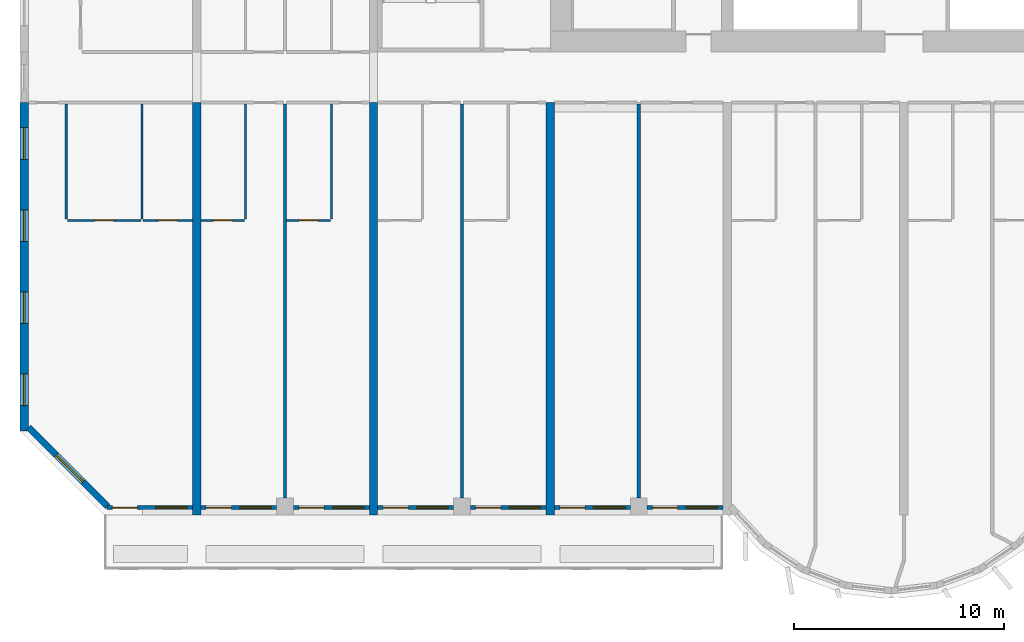
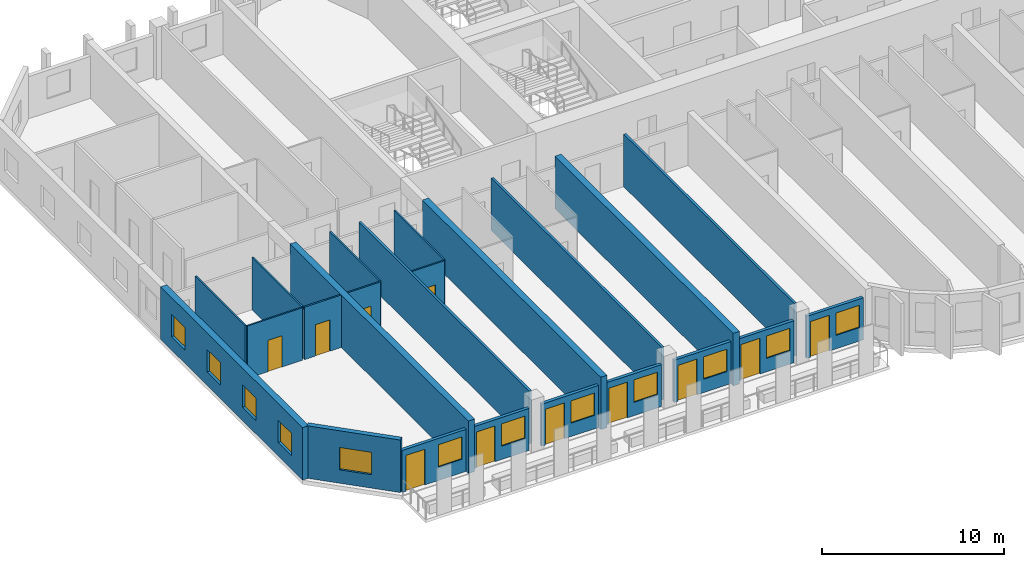
# One storey, part 2 of 15: 23 walls, 12 windows, 11 doors, 23 openings.
"""IFC4 building model written with IfcOpenShell, lengths in metres."""

from ifc_helpers import new_model, si_unit, direction, frame, frame_2d, origin, place, context, subcontext, project, spatial, rectangle, extrude, source, transform, mapped, material, layer, layer_set, type_object, element, fill, save


model = new_model("IFC4")

# Units and contexts
model_context = context("Model", 3, precision=1e-05, world=origin(), true_north=direction((0.0, 1.0)))
body_context = subcontext(model_context, "Body", "Model", "MODEL_VIEW")
ifc_project = project(units=[si_unit("LENGTHUNIT", "METRE"), si_unit("AREAUNIT", "SQUARE_METRE"), si_unit("VOLUMEUNIT", "CUBIC_METRE"), si_unit("PLANEANGLEUNIT", "RADIAN"), si_unit("MASSUNIT", "GRAM", prefix="KILO")], contexts=[model_context])

# Site, building, storey
site_placement = place(None, origin())
site = spatial("IfcSite", under=ifc_project, at=site_placement, CompositionType="ELEMENT")
building_placement = place(site_placement, origin())
building = spatial("IfcBuilding", under=site, at=building_placement, Name="Vanashikhar Sky Hotel", CompositionType="ELEMENT")
storey_placement = place(building_placement, frame((0.0, 0.0, 77.199951171875)))
storey = spatial("IfcBuildingStorey", under=building, at=storey_placement, Name="L18", CompositionType="ELEMENT", Elevation=77.199951171875)

# Wall, openings, windows
ifc_material_1 = material(Name="Concrete M80", Category="concrete")
ifc_layer_1 = layer(ifc_material_1, 0.39990234375)
ifc_layer_set_1 = layer_set([ifc_layer_1], Name="RC shear wall 400 Concrete M80")
wall_type_1 = type_object("IfcWallType", Name="RC shear wall 400 Concrete M80", PredefinedType="SHEAR", material=ifc_layer_set_1)
shared_shape_1 = source(origin(), body_context, "Body", "SweptSolid", [
    extrude(rectangle(XDim=15.60009765625, YDim=0.39990234375, at=frame_2d((7.800048828125, 0.0))), origin(), (0.0, 0.0, 1.0), 3.52001953125),
])
wall_1_placement = place(storey_placement, frame((0.199951171875, 4.0, 0.0), z_axis=(0.0, 0.0, 1.0), x_axis=(0.0, 1.0, 0.0)))
wall_1 = element("IfcWall", 1, at=wall_1_placement, inside=storey, type_object=wall_type_1, Name="CW-L18-XW01-1", PredefinedType="SHEAR", context=body_context, shape_type="MappedRepresentation", body=[
    mapped(shared_shape_1, transform((0.0, 0.0, 0.0), scale=1.0)),
])
shared_shape_2 = source(origin(), body_context, "Body", "SweptSolid", [
    extrude(rectangle(XDim=1.5, YDim=1.5, at=frame_2d((0.75, 0.75))), frame((0.0, 0.2099609375, 0.0), z_axis=(0.0, -1.0, 0.0), x_axis=(1.0, 0.0, 0.0)), (0.0, 0.0, 1.0), 0.419921875),
])
opening_1_placement = place(wall_1_placement, frame((1.199951171875, 0.0, 0.89990234375)))
opening_1 = element("IfcOpeningElement", 2, at=opening_1_placement, cuts=wall_1, Name="Opening WN-1", PredefinedType="OPENING", context=body_context, shape_type="MappedRepresentation", body=[
    mapped(shared_shape_2, transform((0.0, 0.0, 0.0), scale=1.0)),
])
opening_2_placement = place(wall_1_placement, frame((5.10009765625, 0.0, 0.89990234375)))
opening_2 = element("IfcOpeningElement", 3, at=opening_2_placement, cuts=wall_1, Name="Opening WN-1", PredefinedType="OPENING", context=body_context, shape_type="MappedRepresentation", body=[
    mapped(shared_shape_2, transform((0.0, 0.0, 0.0), scale=1.0)),
])
opening_3_placement = place(wall_1_placement, frame((9.0, 0.0, 0.89990234375)))
opening_3 = element("IfcOpeningElement", 4, at=opening_3_placement, cuts=wall_1, Name="Opening WN-1", PredefinedType="OPENING", context=body_context, shape_type="MappedRepresentation", body=[
    mapped(shared_shape_2, transform((0.0, 0.0, 0.0), scale=1.0)),
])
opening_4_placement = place(wall_1_placement, frame((12.89990234375, 0.0, 0.89990234375)))
opening_4 = element("IfcOpeningElement", 5, at=opening_4_placement, cuts=wall_1, Name="Opening WN-1", PredefinedType="OPENING", context=body_context, shape_type="MappedRepresentation", body=[
    mapped(shared_shape_2, transform((0.0, 0.0, 0.0), scale=1.0)),
])
ifc_material_2 = material(Name="Glass", Category="glass")
window_type_1 = type_object("IfcWindowType", Name="Window 1500 x 1500", PartitioningType="SINGLE_PANEL", PredefinedType="WINDOW", material=ifc_material_2)
shared_shape_3 = source(origin(), body_context, "Body", "SweptSolid", [
    extrude(rectangle(XDim=1.5, YDim=1.5, at=frame_2d((0.75, 0.75))), frame((0.0, 0.030029296875, 0.0), z_axis=(0.0, -1.0, 0.0), x_axis=(1.0, 0.0, 0.0)), (0.0, 0.0, 1.0), 0.06005859375),
])
window_1_placement = place(opening_1_placement, origin())
window_1 = element("IfcWindow", 6, at=window_1_placement, inside=storey, type_object=window_type_1, Name="Window WN-1", OverallHeight=1.5, OverallWidth=1.5, PartitioningType="SINGLE_PANEL", PredefinedType="WINDOW", context=body_context, shape_type="MappedRepresentation", body=[
    mapped(shared_shape_3, transform((0.0, 0.0, 0.0), scale=1.0)),
])
fill(opening_1, window_1)
window_2_placement = place(opening_2_placement, origin())
window_2 = element("IfcWindow", 7, at=window_2_placement, inside=storey, type_object=window_type_1, Name="Window WN-1", OverallHeight=1.5, OverallWidth=1.5, PartitioningType="SINGLE_PANEL", PredefinedType="WINDOW", context=body_context, shape_type="MappedRepresentation", body=[
    mapped(shared_shape_3, transform((0.0, 0.0, 0.0), scale=1.0)),
])
fill(opening_2, window_2)
window_3_placement = place(opening_3_placement, origin())
window_3 = element("IfcWindow", 8, at=window_3_placement, inside=storey, type_object=window_type_1, Name="Window WN-1", OverallHeight=1.5, OverallWidth=1.5, PartitioningType="SINGLE_PANEL", PredefinedType="WINDOW", context=body_context, shape_type="MappedRepresentation", body=[
    mapped(shared_shape_3, transform((0.0, 0.0, 0.0), scale=1.0)),
])
fill(opening_3, window_3)
window_4_placement = place(opening_4_placement, origin())
window_4 = element("IfcWindow", 9, at=window_4_placement, inside=storey, type_object=window_type_1, Name="Window WN-1", OverallHeight=1.5, OverallWidth=1.5, PartitioningType="SINGLE_PANEL", PredefinedType="WINDOW", context=body_context, shape_type="MappedRepresentation", body=[
    mapped(shared_shape_3, transform((0.0, 0.0, 0.0), scale=1.0)),
])
fill(opening_4, window_4)

# Walls
shared_shape_4 = source(origin(), body_context, "Body", "SweptSolid", [
    extrude(rectangle(XDim=19.60009765625, YDim=0.39990234375, at=frame_2d((9.800048828125, 0.0))), origin(), (0.0, 0.0, 1.0), 3.52001953125),
])
for number, where, z_axis, x_axis, name in (
    (10, (8.39990234375, 0.0, 0.0), (0.0, 0.0, 1.0), (0.0, 1.0, 0.0), "CW-L18-XW02-1"),
    (11, (16.800048828125, 0.0, 0.0), (0.0, 0.0, 1.0), (0.0, 1.0, 0.0), "CW-L18-XW03-1"),
    (12, (25.199951171875, 0.0, 0.0), (0.0, 0.0, 1.0), (0.0, 1.0, 0.0), "CW-L18-XW04-1"),
):
    element("IfcWall", number, at=place(storey_placement, frame(where, z_axis=z_axis, x_axis=x_axis)), inside=storey, type_object=wall_type_1, Name=name, PredefinedType="SHEAR", context=body_context, shape_type="MappedRepresentation", body=[
        mapped(shared_shape_4, transform((0.0, 0.0, 0.0), scale=1.0)),
    ])

# Wall, opening, window
ifc_material_3 = material(Name="Concrete M50", Category="concrete")
ifc_layer_2 = layer(ifc_material_3, 0.300048828125)
ifc_layer_set_2 = layer_set([ifc_layer_2], Name="Lobe wall 300")
wall_type_2 = type_object("IfcWallType", Name="Lobe wall 300", PredefinedType="SOLIDWALL", material=ifc_layer_set_2)
shared_shape_5 = source(origin(), body_context, "Body", "SweptSolid", [
    extrude(rectangle(XDim=5.32568359375, YDim=0.300048828125, at=frame_2d((2.662841796875, 0.0))), origin(), (0.0, 0.0, 1.0), 3.52001953125),
])
wall_2_placement = place(storey_placement, frame((0.39990234375, 4.165771484375, 0.0), z_axis=(0.0, 0.0, 1.0), x_axis=(0.707106781187, -0.707106781187, 0.0)))
wall_2 = element("IfcWall", 13, at=wall_2_placement, inside=storey, type_object=wall_type_2, Name="Corner wall", PredefinedType="SOLIDWALL", context=body_context, shape_type="MappedRepresentation", body=[
    mapped(shared_shape_5, transform((0.0, 0.0, 0.0), scale=1.0)),
])
shared_shape_6 = source(origin(), body_context, "Body", "SweptSolid", [
    extrude(rectangle(XDim=1.800048828125, YDim=1.5, at=frame_2d((0.89990234375, 0.75))), frame((0.0, 0.16015625, 0.0), z_axis=(0.0, -1.0, 0.0), x_axis=(1.0, 0.0, 0.0)), (0.0, 0.0, 1.0), 0.320068359375),
])
opening_5_placement = place(wall_2_placement, frame((1.871337890625, 0.0, 0.89990234375)))
opening_5 = element("IfcOpeningElement", 14, at=opening_5_placement, cuts=wall_2, Name="Opening WN-4", PredefinedType="OPENING", context=body_context, shape_type="MappedRepresentation", body=[
    mapped(shared_shape_6, transform((0.0, 0.0, 0.0), scale=1.0)),
])
window_type_2 = type_object("IfcWindowType", Name="Corner window 1800 x 1500", PartitioningType="SINGLE_PANEL", PredefinedType="WINDOW", material=ifc_material_2)
shared_shape_7 = source(origin(), body_context, "Body", "SweptSolid", [
    extrude(rectangle(XDim=1.800048828125, YDim=1.5, at=frame_2d((0.89990234375, 0.75))), frame((0.0, 0.030029296875, 0.0), z_axis=(0.0, -1.0, 0.0), x_axis=(1.0, 0.0, 0.0)), (0.0, 0.0, 1.0), 0.06005859375),
])
window_5_placement = place(opening_5_placement, origin())
window_5 = element("IfcWindow", 15, at=window_5_placement, inside=storey, type_object=window_type_2, Name="Window WN-4", OverallHeight=1.5, OverallWidth=1.800048828125, PartitioningType="SINGLE_PANEL", PredefinedType="WINDOW", context=body_context, shape_type="MappedRepresentation", body=[
    mapped(shared_shape_7, transform((0.0, 0.0, 0.0), scale=1.0)),
])
fill(opening_5, window_5)

# Wall, openings, window, door
ifc_layer_3 = layer(ifc_material_3, 0.199951171875)
ifc_layer_set_3 = layer_set([ifc_layer_3], Name="Front window wall 200")
wall_type_3 = type_object("IfcWallType", Name="Front window wall 200", PredefinedType="SOLIDWALL", material=ifc_layer_set_3)
shared_shape_8 = source(origin(), body_context, "Body", "SweptSolid", [
    extrude(rectangle(XDim=4.054931640625, YDim=0.199951171875, at=frame_2d((2.02734375, 0.0))), origin(), (0.0, 0.0, 1.0), 2.820068359375),
])
wall_3_placement = place(storey_placement, frame((4.14501953125, 0.35009765625, 0.0), z_axis=(0.0, 0.0, 1.0), x_axis=(1.0, 0.0, 0.0)))
wall_3 = element("IfcWall", 16, at=wall_3_placement, inside=storey, type_object=wall_type_3, Name="Front window wall", PredefinedType="SOLIDWALL", context=body_context, shape_type="MappedRepresentation", body=[
    mapped(shared_shape_8, transform((0.0, 0.0, 0.0), scale=1.0)),
])
shared_shape_9 = source(origin(), body_context, "Body", "SweptSolid", [
    extrude(rectangle(XDim=1.199951171875, YDim=2.39990234375, at=frame_2d((0.60009765625, 1.199951171875))), frame((0.0, 0.10986328125, 0.0), z_axis=(0.0, -1.0, 0.0), x_axis=(1.0, 0.0, 0.0)), (0.0, 0.0, 1.0), 0.219970703125),
])
opening_6_placement = place(wall_3_placement, frame((0.25, 0.0, 0.0)))
opening_6 = element("IfcOpeningElement", 17, at=opening_6_placement, cuts=wall_3, Name="Opening BD-01", PredefinedType="OPENING", context=body_context, shape_type="MappedRepresentation", body=[
    mapped(shared_shape_9, transform((0.0, 0.0, 0.0), scale=1.0)),
])
shared_shape_10 = source(origin(), body_context, "Body", "SweptSolid", [
    extrude(rectangle(XDim=1.5, YDim=1.5, at=frame_2d((0.75, 0.75))), frame((0.0, 0.10986328125, 0.0), z_axis=(0.0, -1.0, 0.0), x_axis=(1.0, 0.0, 0.0)), (0.0, 0.0, 1.0), 0.219970703125),
])
opening_7_placement = place(wall_3_placement, frame((2.304931640625, 0.0, 0.89990234375)))
opening_7 = element("IfcOpeningElement", 18, at=opening_7_placement, cuts=wall_3, Name="Opening WN-1", PredefinedType="OPENING", context=body_context, shape_type="MappedRepresentation", body=[
    mapped(shared_shape_10, transform((0.0, 0.0, 0.0), scale=1.0)),
])
window_6_placement = place(opening_7_placement, origin())
window_6 = element("IfcWindow", 19, at=window_6_placement, inside=storey, type_object=window_type_1, Name="Window WN-1", OverallHeight=1.5, OverallWidth=1.5, PartitioningType="SINGLE_PANEL", PredefinedType="WINDOW", context=body_context, shape_type="MappedRepresentation", body=[
    mapped(shared_shape_3, transform((0.0, 0.0, 0.0), scale=1.0)),
])
fill(opening_7, window_6)
ifc_material_4 = material(Name="Aluminium", Category="aluminium")
door_type_1 = type_object("IfcDoorType", Name="Balcony sliding door 1200 x 2400", OperationType="NOTDEFINED", PredefinedType="DOOR", material=ifc_material_4)
shared_shape_11 = source(origin(), body_context, "Body", "SweptSolid", [
    extrude(rectangle(XDim=1.199951171875, YDim=2.39990234375, at=frame_2d((0.60009765625, 1.199951171875))), frame((0.0, 0.02490234375, 0.0), z_axis=(0.0, -1.0, 0.0), x_axis=(1.0, 0.0, 0.0)), (0.0, 0.0, 1.0), 0.050048828125),
])
door_1_placement = place(opening_6_placement, origin())
door_1 = element("IfcDoor", 20, at=door_1_placement, inside=storey, type_object=door_type_1, Name="Balcony sliding door", OperationType="SLIDING_TO_LEFT", OverallHeight=2.39990234375, OverallWidth=1.199951171875, PredefinedType="DOOR", context=body_context, shape_type="MappedRepresentation", body=[
    mapped(shared_shape_11, transform((0.0, 0.0, 0.0), scale=1.0)),
])
fill(opening_6, door_1)

shared_shape_12 = source(origin(), body_context, "Body", "SweptSolid", [
    extrude(rectangle(XDim=3.599853515625, YDim=0.199951171875, at=frame_2d((1.7998046875, 0.0))), origin(), (0.0, 0.0, 1.0), 2.820068359375),
])
wall_4_placement = place(storey_placement, frame((8.60009765625, 0.35009765625, 0.0), z_axis=(0.0, 0.0, 1.0), x_axis=(1.0, 0.0, 0.0)))
wall_4 = element("IfcWall", 21, at=wall_4_placement, inside=storey, type_object=wall_type_3, Name="Front window wall", PredefinedType="SOLIDWALL", context=body_context, shape_type="MappedRepresentation", body=[
    mapped(shared_shape_12, transform((0.0, 0.0, 0.0), scale=1.0)),
])
opening_8_placement = place(wall_4_placement, frame((0.25, 0.0, 0.0)))
opening_8 = element("IfcOpeningElement", 22, at=opening_8_placement, cuts=wall_4, Name="Opening BD-02", PredefinedType="OPENING", context=body_context, shape_type="MappedRepresentation", body=[
    mapped(shared_shape_9, transform((0.0, 0.0, 0.0), scale=1.0)),
])
opening_9_placement = place(wall_4_placement, frame((1.85009765625, 0.0, 0.89990234375)))
opening_9 = element("IfcOpeningElement", 23, at=opening_9_placement, cuts=wall_4, Name="Opening WN-1", PredefinedType="OPENING", context=body_context, shape_type="MappedRepresentation", body=[
    mapped(shared_shape_10, transform((0.0, 0.0, 0.0), scale=1.0)),
])
window_7_placement = place(opening_9_placement, origin())
window_7 = element("IfcWindow", 24, at=window_7_placement, inside=storey, type_object=window_type_1, Name="Window WN-1", OverallHeight=1.5, OverallWidth=1.5, PartitioningType="SINGLE_PANEL", PredefinedType="WINDOW", context=body_context, shape_type="MappedRepresentation", body=[
    mapped(shared_shape_3, transform((0.0, 0.0, 0.0), scale=1.0)),
])
fill(opening_9, window_7)
door_2_placement = place(opening_8_placement, origin())
door_2 = element("IfcDoor", 25, at=door_2_placement, inside=storey, type_object=door_type_1, Name="Balcony sliding door", OperationType="SLIDING_TO_RIGHT", OverallHeight=2.39990234375, OverallWidth=1.199951171875, PredefinedType="DOOR", context=body_context, shape_type="MappedRepresentation", body=[
    mapped(shared_shape_11, transform((0.0, 0.0, 0.0), scale=1.0)),
])
fill(opening_8, door_2)

wall_5_placement = place(storey_placement, frame((29.800048828125, 0.35009765625, 0.0), z_axis=(0.0, 0.0, 1.0), x_axis=(1.0, 0.0, 0.0)))
wall_5 = element("IfcWall", 26, at=wall_5_placement, inside=storey, type_object=wall_type_3, Name="Front window wall", PredefinedType="SOLIDWALL", context=body_context, shape_type="MappedRepresentation", body=[
    mapped(shared_shape_12, transform((0.0, 0.0, 0.0), scale=1.0)),
])
opening_10_placement = place(wall_5_placement, frame((0.25, 0.0, 0.0)))
opening_10 = element("IfcOpeningElement", 27, at=opening_10_placement, cuts=wall_5, Name="Opening BD-07", PredefinedType="OPENING", context=body_context, shape_type="MappedRepresentation", body=[
    mapped(shared_shape_9, transform((0.0, 0.0, 0.0), scale=1.0)),
])
opening_11_placement = place(wall_5_placement, frame((1.85009765625, 0.0, 0.89990234375)))
opening_11 = element("IfcOpeningElement", 28, at=opening_11_placement, cuts=wall_5, Name="Opening WN-1", PredefinedType="OPENING", context=body_context, shape_type="MappedRepresentation", body=[
    mapped(shared_shape_10, transform((0.0, 0.0, 0.0), scale=1.0)),
])
window_8_placement = place(opening_11_placement, origin())
window_8 = element("IfcWindow", 29, at=window_8_placement, inside=storey, type_object=window_type_1, Name="Window WN-1", OverallHeight=1.5, OverallWidth=1.5, PartitioningType="SINGLE_PANEL", PredefinedType="WINDOW", context=body_context, shape_type="MappedRepresentation", body=[
    mapped(shared_shape_3, transform((0.0, 0.0, 0.0), scale=1.0)),
])
fill(opening_11, window_8)
door_3_placement = place(opening_10_placement, origin())
door_3 = element("IfcDoor", 30, at=door_3_placement, inside=storey, type_object=door_type_1, Name="Balcony sliding door", OperationType="SLIDING_TO_LEFT", OverallHeight=2.39990234375, OverallWidth=1.199951171875, PredefinedType="DOOR", context=body_context, shape_type="MappedRepresentation", body=[
    mapped(shared_shape_11, transform((0.0, 0.0, 0.0), scale=1.0)),
])
fill(opening_10, door_3)

shared_shape_13 = source(origin(), body_context, "Body", "SweptSolid", [
    extrude(rectangle(XDim=3.60009765625, YDim=0.199951171875, at=frame_2d((1.800048828125, 0.0))), origin(), (0.0, 0.0, 1.0), 2.820068359375),
])
wall_6_placement = place(storey_placement, frame((13.0, 0.35009765625, 0.0), z_axis=(0.0, 0.0, 1.0), x_axis=(1.0, 0.0, 0.0)))
wall_6 = element("IfcWall", 31, at=wall_6_placement, inside=storey, type_object=wall_type_3, Name="Front window wall", PredefinedType="SOLIDWALL", context=body_context, shape_type="MappedRepresentation", body=[
    mapped(shared_shape_13, transform((0.0, 0.0, 0.0), scale=1.0)),
])
opening_12_placement = place(wall_6_placement, frame((0.25, 0.0, 0.0)))
opening_12 = element("IfcOpeningElement", 32, at=opening_12_placement, cuts=wall_6, Name="Opening BD-03", PredefinedType="OPENING", context=body_context, shape_type="MappedRepresentation", body=[
    mapped(shared_shape_9, transform((0.0, 0.0, 0.0), scale=1.0)),
])
opening_13_placement = place(wall_6_placement, frame((1.85009765625, 0.0, 0.89990234375)))
opening_13 = element("IfcOpeningElement", 33, at=opening_13_placement, cuts=wall_6, Name="Opening WN-1", PredefinedType="OPENING", context=body_context, shape_type="MappedRepresentation", body=[
    mapped(shared_shape_10, transform((0.0, 0.0, 0.0), scale=1.0)),
])
window_9_placement = place(opening_13_placement, origin())
window_9 = element("IfcWindow", 34, at=window_9_placement, inside=storey, type_object=window_type_1, Name="Window WN-1", OverallHeight=1.5, OverallWidth=1.5, PartitioningType="SINGLE_PANEL", PredefinedType="WINDOW", context=body_context, shape_type="MappedRepresentation", body=[
    mapped(shared_shape_3, transform((0.0, 0.0, 0.0), scale=1.0)),
])
fill(opening_13, window_9)
door_4_placement = place(opening_12_placement, origin())
door_4 = element("IfcDoor", 35, at=door_4_placement, inside=storey, type_object=door_type_1, Name="Balcony sliding door", OperationType="SLIDING_TO_LEFT", OverallHeight=2.39990234375, OverallWidth=1.199951171875, PredefinedType="DOOR", context=body_context, shape_type="MappedRepresentation", body=[
    mapped(shared_shape_11, transform((0.0, 0.0, 0.0), scale=1.0)),
])
fill(opening_12, door_4)

wall_7_placement = place(storey_placement, frame((17.0, 0.35009765625, 0.0), z_axis=(0.0, 0.0, 1.0), x_axis=(1.0, 0.0, 0.0)))
wall_7 = element("IfcWall", 36, at=wall_7_placement, inside=storey, type_object=wall_type_3, Name="Front window wall", PredefinedType="SOLIDWALL", context=body_context, shape_type="MappedRepresentation", body=[
    mapped(shared_shape_13, transform((0.0, 0.0, 0.0), scale=1.0)),
])
opening_14_placement = place(wall_7_placement, frame((0.25, 0.0, 0.0)))
opening_14 = element("IfcOpeningElement", 37, at=opening_14_placement, cuts=wall_7, Name="Opening BD-04", PredefinedType="OPENING", context=body_context, shape_type="MappedRepresentation", body=[
    mapped(shared_shape_9, transform((0.0, 0.0, 0.0), scale=1.0)),
])
opening_15_placement = place(wall_7_placement, frame((1.85009765625, 0.0, 0.89990234375)))
opening_15 = element("IfcOpeningElement", 38, at=opening_15_placement, cuts=wall_7, Name="Opening WN-1", PredefinedType="OPENING", context=body_context, shape_type="MappedRepresentation", body=[
    mapped(shared_shape_10, transform((0.0, 0.0, 0.0), scale=1.0)),
])
window_10_placement = place(opening_15_placement, origin())
window_10 = element("IfcWindow", 39, at=window_10_placement, inside=storey, type_object=window_type_1, Name="Window WN-1", OverallHeight=1.5, OverallWidth=1.5, PartitioningType="SINGLE_PANEL", PredefinedType="WINDOW", context=body_context, shape_type="MappedRepresentation", body=[
    mapped(shared_shape_3, transform((0.0, 0.0, 0.0), scale=1.0)),
])
fill(opening_15, window_10)
door_5_placement = place(opening_14_placement, origin())
door_5 = element("IfcDoor", 40, at=door_5_placement, inside=storey, type_object=door_type_1, Name="Balcony sliding door", OperationType="SLIDING_TO_RIGHT", OverallHeight=2.39990234375, OverallWidth=1.199951171875, PredefinedType="DOOR", context=body_context, shape_type="MappedRepresentation", body=[
    mapped(shared_shape_11, transform((0.0, 0.0, 0.0), scale=1.0)),
])
fill(opening_14, door_5)

wall_8_placement = place(storey_placement, frame((21.39990234375, 0.35009765625, 0.0), z_axis=(0.0, 0.0, 1.0), x_axis=(1.0, 0.0, 0.0)))
wall_8 = element("IfcWall", 41, at=wall_8_placement, inside=storey, type_object=wall_type_3, Name="Front window wall", PredefinedType="SOLIDWALL", context=body_context, shape_type="MappedRepresentation", body=[
    mapped(shared_shape_13, transform((0.0, 0.0, 0.0), scale=1.0)),
])
opening_16_placement = place(wall_8_placement, frame((0.25, 0.0, 0.0)))
opening_16 = element("IfcOpeningElement", 42, at=opening_16_placement, cuts=wall_8, Name="Opening BD-05", PredefinedType="OPENING", context=body_context, shape_type="MappedRepresentation", body=[
    mapped(shared_shape_9, transform((0.0, 0.0, 0.0), scale=1.0)),
])
opening_17_placement = place(wall_8_placement, frame((1.85009765625, 0.0, 0.89990234375)))
opening_17 = element("IfcOpeningElement", 43, at=opening_17_placement, cuts=wall_8, Name="Opening WN-1", PredefinedType="OPENING", context=body_context, shape_type="MappedRepresentation", body=[
    mapped(shared_shape_10, transform((0.0, 0.0, 0.0), scale=1.0)),
])
window_11_placement = place(opening_17_placement, origin())
window_11 = element("IfcWindow", 44, at=window_11_placement, inside=storey, type_object=window_type_1, Name="Window WN-1", OverallHeight=1.5, OverallWidth=1.5, PartitioningType="SINGLE_PANEL", PredefinedType="WINDOW", context=body_context, shape_type="MappedRepresentation", body=[
    mapped(shared_shape_3, transform((0.0, 0.0, 0.0), scale=1.0)),
])
fill(opening_17, window_11)
door_6_placement = place(opening_16_placement, origin())
door_6 = element("IfcDoor", 45, at=door_6_placement, inside=storey, type_object=door_type_1, Name="Balcony sliding door", OperationType="SLIDING_TO_LEFT", OverallHeight=2.39990234375, OverallWidth=1.199951171875, PredefinedType="DOOR", context=body_context, shape_type="MappedRepresentation", body=[
    mapped(shared_shape_11, transform((0.0, 0.0, 0.0), scale=1.0)),
])
fill(opening_16, door_6)

wall_9_placement = place(storey_placement, frame((25.39990234375, 0.35009765625, 0.0), z_axis=(0.0, 0.0, 1.0), x_axis=(1.0, 0.0, 0.0)))
wall_9 = element("IfcWall", 46, at=wall_9_placement, inside=storey, type_object=wall_type_3, Name="Front window wall", PredefinedType="SOLIDWALL", context=body_context, shape_type="MappedRepresentation", body=[
    mapped(shared_shape_13, transform((0.0, 0.0, 0.0), scale=1.0)),
])
opening_18_placement = place(wall_9_placement, frame((0.25, 0.0, 0.0)))
opening_18 = element("IfcOpeningElement", 47, at=opening_18_placement, cuts=wall_9, Name="Opening BD-06", PredefinedType="OPENING", context=body_context, shape_type="MappedRepresentation", body=[
    mapped(shared_shape_9, transform((0.0, 0.0, 0.0), scale=1.0)),
])
opening_19_placement = place(wall_9_placement, frame((1.85009765625, 0.0, 0.89990234375)))
opening_19 = element("IfcOpeningElement", 48, at=opening_19_placement, cuts=wall_9, Name="Opening WN-1", PredefinedType="OPENING", context=body_context, shape_type="MappedRepresentation", body=[
    mapped(shared_shape_10, transform((0.0, 0.0, 0.0), scale=1.0)),
])
window_12_placement = place(opening_19_placement, origin())
window_12 = element("IfcWindow", 49, at=window_12_placement, inside=storey, type_object=window_type_1, Name="Window WN-1", OverallHeight=1.5, OverallWidth=1.5, PartitioningType="SINGLE_PANEL", PredefinedType="WINDOW", context=body_context, shape_type="MappedRepresentation", body=[
    mapped(shared_shape_3, transform((0.0, 0.0, 0.0), scale=1.0)),
])
fill(opening_19, window_12)
door_7_placement = place(opening_18_placement, origin())
door_7 = element("IfcDoor", 50, at=door_7_placement, inside=storey, type_object=door_type_1, Name="Balcony sliding door", OperationType="SLIDING_TO_RIGHT", OverallHeight=2.39990234375, OverallWidth=1.199951171875, PredefinedType="DOOR", context=body_context, shape_type="MappedRepresentation", body=[
    mapped(shared_shape_11, transform((0.0, 0.0, 0.0), scale=1.0)),
])
fill(opening_18, door_7)

# Wall, opening, door
ifc_material_5 = material(Name="Gypsum plasterboard partition")
ifc_layer_4 = layer(ifc_material_5, 0.10009765625)
ifc_layer_set_4 = layer_set([ifc_layer_4], Name="Wet room partition 100")
wall_type_4 = type_object("IfcWallType", Name="Wet room partition 100", PredefinedType="PARTITIONING", material=ifc_layer_set_4)
shared_shape_14 = source(origin(), body_context, "Body", "SweptSolid", [
    extrude(rectangle(XDim=3.5, YDim=0.10009765625, at=frame_2d((1.75, 0.0))), origin(), (0.0, 0.0, 1.0), 3.52001953125),
])
wall_10_placement = place(storey_placement, frame((2.25, 14.0, 0.0), z_axis=(0.0, 0.0, 1.0), x_axis=(1.0, 0.0, 0.0)))
wall_10 = element("IfcWall", 51, at=wall_10_placement, inside=storey, type_object=wall_type_4, Name="W-L18-PW003", PredefinedType="PARTITIONING", context=body_context, shape_type="MappedRepresentation", body=[
    mapped(shared_shape_14, transform((0.0, 0.0, 0.0), scale=1.0)),
])
shared_shape_15 = source(origin(), body_context, "Body", "SweptSolid", [
    extrude(rectangle(XDim=0.89990234375, YDim=2.10009765625, at=frame_2d((0.449951171875, 1.050048828125))), frame((0.0, 0.06005859375, 0.0), z_axis=(0.0, -1.0, 0.0), x_axis=(1.0, 0.0, 0.0)), (0.0, 0.0, 1.0), 0.1201171875),
])
opening_20_placement = place(wall_10_placement, frame((1.300048828125, 0.0, 0.0)))
opening_20 = element("IfcOpeningElement", 52, at=opening_20_placement, cuts=wall_10, Name="Opening D-02", PredefinedType="OPENING", context=body_context, shape_type="MappedRepresentation", body=[
    mapped(shared_shape_15, transform((0.0, 0.0, 0.0), scale=1.0)),
])
ifc_material_6 = material(Name="Timber door", Category="wood")
door_type_2 = type_object("IfcDoorType", Name="Internal door 900", OperationType="NOTDEFINED", PredefinedType="DOOR", material=ifc_material_6)
shared_shape_16 = source(origin(), body_context, "Body", "SweptSolid", [
    extrude(rectangle(XDim=0.89990234375, YDim=2.10009765625, at=frame_2d((0.449951171875, 1.050048828125))), frame((0.0, 0.02490234375, 0.0), z_axis=(0.0, -1.0, 0.0), x_axis=(1.0, 0.0, 0.0)), (0.0, 0.0, 1.0), 0.050048828125),
])
door_8_placement = place(opening_20_placement, origin())
door_8 = element("IfcDoor", 53, at=door_8_placement, inside=storey, type_object=door_type_2, Name="D-L18-001", OperationType="SINGLE_SWING_LEFT", OverallHeight=2.10009765625, OverallWidth=0.89990234375, PredefinedType="DOOR", context=body_context, shape_type="MappedRepresentation", body=[
    mapped(shared_shape_16, transform((0.0, 0.0, 0.0), scale=1.0)),
])
fill(opening_20, door_8)

shared_shape_17 = source(origin(), body_context, "Body", "SweptSolid", [
    extrude(rectangle(XDim=2.349853515625, YDim=0.10009765625, at=frame_2d((1.1748046875, 0.0))), origin(), (0.0, 0.0, 1.0), 3.52001953125),
])
wall_11_placement = place(storey_placement, frame((5.85009765625, 14.0, 0.0), z_axis=(0.0, 0.0, 1.0), x_axis=(1.0, 0.0, 0.0)))
wall_11 = element("IfcWall", 54, at=wall_11_placement, inside=storey, type_object=wall_type_4, Name="W-L18-PW004", PredefinedType="PARTITIONING", context=body_context, shape_type="MappedRepresentation", body=[
    mapped(shared_shape_17, transform((0.0, 0.0, 0.0), scale=1.0)),
])
opening_21_placement = place(wall_11_placement, frame((0.72509765625, 0.0, 0.0)))
opening_21 = element("IfcOpeningElement", 55, at=opening_21_placement, cuts=wall_11, Name="Opening D-02", PredefinedType="OPENING", context=body_context, shape_type="MappedRepresentation", body=[
    mapped(shared_shape_15, transform((0.0, 0.0, 0.0), scale=1.0)),
])
door_9_placement = place(opening_21_placement, origin())
door_9 = element("IfcDoor", 56, at=door_9_placement, inside=storey, type_object=door_type_2, Name="D-L18-002", OperationType="SINGLE_SWING_LEFT", OverallHeight=2.10009765625, OverallWidth=0.89990234375, PredefinedType="DOOR", context=body_context, shape_type="MappedRepresentation", body=[
    mapped(shared_shape_16, transform((0.0, 0.0, 0.0), scale=1.0)),
])
fill(opening_21, door_9)

shared_shape_18 = source(origin(), body_context, "Body", "SweptSolid", [
    extrude(rectangle(XDim=2.074951171875, YDim=0.10009765625, at=frame_2d((1.03759765625, 0.0))), origin(), (0.0, 0.0, 1.0), 3.52001953125),
])
wall_12_placement = place(storey_placement, frame((8.60009765625, 14.0, 0.0), z_axis=(0.0, 0.0, 1.0), x_axis=(1.0, 0.0, 0.0)))
wall_12 = element("IfcWall", 57, at=wall_12_placement, inside=storey, type_object=wall_type_4, Name="W-L18-PW007", PredefinedType="PARTITIONING", context=body_context, shape_type="MappedRepresentation", body=[
    mapped(shared_shape_18, transform((0.0, 0.0, 0.0), scale=1.0)),
])
opening_22_placement = place(wall_12_placement, frame((0.587890625, 0.0, 0.0)))
opening_22 = element("IfcOpeningElement", 58, at=opening_22_placement, cuts=wall_12, Name="Opening D-02", PredefinedType="OPENING", context=body_context, shape_type="MappedRepresentation", body=[
    mapped(shared_shape_15, transform((0.0, 0.0, 0.0), scale=1.0)),
])
door_10_placement = place(opening_22_placement, origin())
door_10 = element("IfcDoor", 59, at=door_10_placement, inside=storey, type_object=door_type_2, Name="D-L18-004", OperationType="SINGLE_SWING_RIGHT", OverallHeight=2.10009765625, OverallWidth=0.89990234375, PredefinedType="DOOR", context=body_context, shape_type="MappedRepresentation", body=[
    mapped(shared_shape_16, transform((0.0, 0.0, 0.0), scale=1.0)),
])
fill(opening_22, door_10)

wall_13_placement = place(storey_placement, frame((12.675048828125, 14.0, 0.0), z_axis=(0.0, 0.0, 1.0), x_axis=(1.0, 0.0, 0.0)))
wall_13 = element("IfcWall", 60, at=wall_13_placement, inside=storey, type_object=wall_type_4, Name="W-L18-PW010", PredefinedType="PARTITIONING", context=body_context, shape_type="MappedRepresentation", body=[
    mapped(shared_shape_18, transform((0.0, 0.0, 0.0), scale=1.0)),
])
opening_23_placement = place(wall_13_placement, frame((0.5869140625, 0.0, 0.0)))
opening_23 = element("IfcOpeningElement", 61, at=opening_23_placement, cuts=wall_13, Name="Opening D-02", PredefinedType="OPENING", context=body_context, shape_type="MappedRepresentation", body=[
    mapped(shared_shape_15, transform((0.0, 0.0, 0.0), scale=1.0)),
])
door_11_placement = place(opening_23_placement, origin())
door_11 = element("IfcDoor", 62, at=door_11_placement, inside=storey, type_object=door_type_2, Name="D-L18-006", OperationType="SINGLE_SWING_RIGHT", OverallHeight=2.10009765625, OverallWidth=0.89990234375, PredefinedType="DOOR", context=body_context, shape_type="MappedRepresentation", body=[
    mapped(shared_shape_16, transform((0.0, 0.0, 0.0), scale=1.0)),
])
fill(opening_23, door_11)

# Walls
ifc_layer_5 = layer(ifc_material_5, 0.14990234375)
ifc_layer_set_5 = layer_set([ifc_layer_5], Name="Corridor and demising partition 150")
wall_type_5 = type_object("IfcWallType", Name="Corridor and demising partition 150", PredefinedType="PARTITIONING", material=ifc_layer_set_5)
shared_shape_19 = source(origin(), body_context, "Body", "SweptSolid", [
    extrude(rectangle(XDim=18.724853515625, YDim=0.14990234375, at=frame_2d((9.3623046875, 0.0))), origin(), (0.0, 0.0, 1.0), 3.52001953125),
])
for number, where, z_axis, x_axis, name in (
    (63, (12.60009765625, 0.800048828125, 0.0), (0.0, 0.0, 1.0), (0.0, 1.0, 0.0), "W-L18-PW012"),
    (64, (21.0, 0.800048828125, 0.0), (0.0, 0.0, 1.0), (0.0, 1.0, 0.0), "W-L18-PW019"),
    (65, (29.39990234375, 0.800048828125, 0.0), (0.0, 0.0, 1.0), (0.0, 1.0, 0.0), "W-L18-PW022"),
):
    element("IfcWall", number, at=place(storey_placement, frame(where, z_axis=z_axis, x_axis=x_axis)), inside=storey, type_object=wall_type_5, Name=name, PredefinedType="PARTITIONING", context=body_context, shape_type="MappedRepresentation", body=[
        mapped(shared_shape_19, transform((0.0, 0.0, 0.0), scale=1.0)),
    ])
shared_shape_20 = source(origin(), body_context, "Body", "SweptSolid", [
    extrude(rectangle(XDim=5.449951171875, YDim=0.10009765625, at=frame_2d((2.72509765625, 0.0))), origin(), (0.0, 0.0, 1.0), 3.52001953125),
])
for number, where, z_axis, x_axis, name in (
    (66, (2.199951171875, 14.074951171875, 0.0), (0.0, 0.0, 1.0), (0.0, 1.0, 0.0), "W-L18-PW001"),
    (67, (5.800048828125, 14.074951171875, 0.0), (0.0, 0.0, 1.0), (0.0, 1.0, 0.0), "W-L18-PW002"),
    (68, (10.72509765625, 14.074951171875, 0.0), (0.0, 0.0, 1.0), (0.0, 1.0, 0.0), "W-L18-PW006"),
    (69, (14.800048828125, 14.074951171875, 0.0), (0.0, 0.0, 1.0), (0.0, 1.0, 0.0), "W-L18-PW009"),
):
    element("IfcWall", number, at=place(storey_placement, frame(where, z_axis=z_axis, x_axis=x_axis)), inside=storey, type_object=wall_type_4, Name=name, PredefinedType="PARTITIONING", context=body_context, shape_type="MappedRepresentation", body=[
        mapped(shared_shape_20, transform((0.0, 0.0, 0.0), scale=1.0)),
    ])

save(model, "model.ifc")
